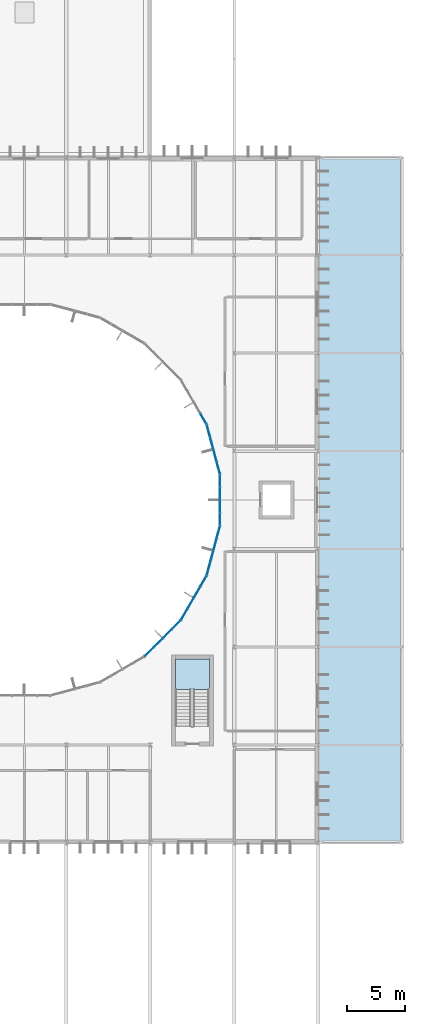
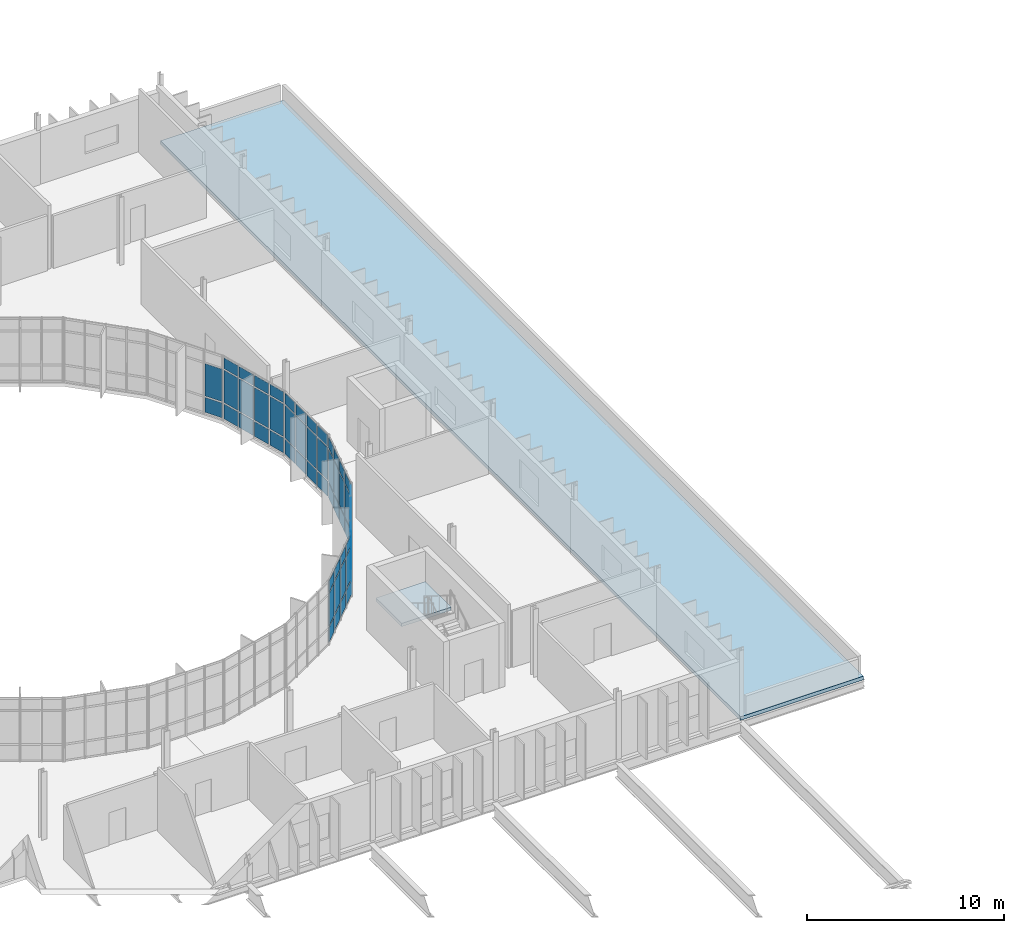
# One storey, part 67 of 99: 62 plates, 2 slabs, 7 elements without a shape of their own.
"""IFC4 building model written with IfcOpenShell, lengths in metres."""

from ifc_helpers import new_model, si_unit, direction, frame, origin, origin_2d, place, context, subcontext, project, spatial, polyline, rectangle, outline, extrude, material, layer, layer_set, type_object, element, aggregate, save


model = new_model("IFC4")

# Units and contexts
model_context = context("Model", 3, precision=1e-05, world=origin(), true_north=direction((0.0, 1.0)))
body_context = subcontext(model_context, "Body", "Model", "MODEL_VIEW")
ifc_project = project(units=[si_unit("LENGTHUNIT", "METRE"), si_unit("AREAUNIT", "SQUARE_METRE"), si_unit("VOLUMEUNIT", "CUBIC_METRE"), si_unit("PLANEANGLEUNIT", "RADIAN"), si_unit("MASSUNIT", "GRAM", prefix="KILO")], contexts=[model_context])

# Site, building, storey
site_placement = place(None, origin())
site = spatial("IfcSite", under=ifc_project, at=site_placement, CompositionType="ELEMENT")
building_placement = place(site_placement, origin())
building = spatial("IfcBuilding", under=site, at=building_placement, Name="Qelthora Terrace Specialist Clinic", CompositionType="ELEMENT")
storey_placement = place(building_placement, frame((0.0, 0.0, 9.0)))
storey = spatial("IfcBuildingStorey", under=building, at=storey_placement, Name="L02", CompositionType="ELEMENT", Elevation=9.0)

# Curtain wall, plates
ifc_material_1 = material(Name="Aluminium anodized bronze", Category="aluminium")
curtain_wall_type = type_object("IfcCurtainWallType", Name="CW-CRTE-UPP", PredefinedType="NOTDEFINED", material=ifc_material_1)
curtain_wall_1_placement = place(storey_placement, origin())
curtain_wall_1 = element("IfcCurtainWall", 1, at=curtain_wall_1_placement, inside=storey, type_object=curtain_wall_type, Name="Curtain wall CW-CE-L02-01", PredefinedType="NOTDEFINED")
ifc_material_2 = material(Name="Low-E triple-silver insulating glass", Category="glass")
ifc_layer_1 = layer(ifc_material_2, 0.035888671875)
ifc_layer_set_1 = layer_set([ifc_layer_1], Name="Low-E triple-silver insulating glass")
plate_type = type_object("IfcPlateType", Name="CWP-IGU-36", PredefinedType="CURTAIN_PANEL", material=ifc_layer_set_1)
plate_1_placement = place(storey_placement, frame((142.63037109375, 65.75341796875, 0.0849609375), z_axis=(0.0, 0.0, 1.0), x_axis=(-0.258819045103, 0.965925826289, 0.0)))
plate_1 = element("IfcPlate", 2, at=plate_1_placement, type_object=plate_type, Name="CW-CE-L02-01 glazed panel 1", PredefinedType="CURTAIN_PANEL", context=body_context, shape_type="SweptSolid", body=[
    extrude(rectangle(XDim=0.996337890625, YDim=0.035888671875, at=origin_2d()), origin(), (0.0, 0.0, 1.0), 0.919921875),
])
plate_2_placement = place(storey_placement, frame((142.63037109375, 65.75341796875, 1.094970703125), z_axis=(0.0, 0.0, 1.0), x_axis=(-0.258819045103, 0.965925826289, 0.0)))
plate_2 = element("IfcPlate", 3, at=plate_2_placement, type_object=plate_type, Name="CW-CE-L02-01 glazed panel 2", PredefinedType="CURTAIN_PANEL", context=body_context, shape_type="SweptSolid", body=[
    extrude(rectangle(XDim=0.996337890625, YDim=0.035888671875, at=origin_2d()), origin(), (0.0, 0.0, 1.0), 2.0048828125),
])
plate_3_placement = place(storey_placement, frame((142.63037109375, 65.75341796875, 3.18994140625), z_axis=(0.0, 0.0, 1.0), x_axis=(-0.258819045103, 0.965925826289, 0.0)))
plate_3 = element("IfcPlate", 4, at=plate_3_placement, type_object=plate_type, Name="CW-CE-L02-01 glazed panel 3", PredefinedType="CURTAIN_PANEL", context=body_context, shape_type="SweptSolid", body=[
    extrude(rectangle(XDim=0.996337890625, YDim=0.035888671875, at=origin_2d()), origin(), (0.0, 0.0, 1.0), 0.669921875),
])
plate_4_placement = place(storey_placement, frame((142.346435546875, 66.8125, 0.0849609375), z_axis=(0.0, 0.0, 1.0), x_axis=(-0.258819045103, 0.965925826289, 0.0)))
plate_4 = element("IfcPlate", 5, at=plate_4_placement, type_object=plate_type, Name="CW-CE-L02-01 glazed panel 4", PredefinedType="CURTAIN_PANEL", context=body_context, shape_type="SweptSolid", body=[
    extrude(rectangle(XDim=0.996337890625, YDim=0.035888671875, at=origin_2d()), origin(), (0.0, 0.0, 1.0), 0.919921875),
])
plate_5_placement = place(storey_placement, frame((142.346435546875, 66.8125, 1.094970703125), z_axis=(0.0, 0.0, 1.0), x_axis=(-0.258819045103, 0.965925826289, 0.0)))
plate_5 = element("IfcPlate", 6, at=plate_5_placement, type_object=plate_type, Name="CW-CE-L02-01 glazed panel 5", PredefinedType="CURTAIN_PANEL", context=body_context, shape_type="SweptSolid", body=[
    extrude(rectangle(XDim=0.996337890625, YDim=0.035888671875, at=origin_2d()), origin(), (0.0, 0.0, 1.0), 2.0048828125),
])
plate_6_placement = place(storey_placement, frame((142.346435546875, 66.8125, 3.18994140625), z_axis=(0.0, 0.0, 1.0), x_axis=(-0.258819045103, 0.965925826289, 0.0)))
plate_6 = element("IfcPlate", 7, at=plate_6_placement, type_object=plate_type, Name="CW-CE-L02-01 glazed panel 6", PredefinedType="CURTAIN_PANEL", context=body_context, shape_type="SweptSolid", body=[
    extrude(rectangle(XDim=0.996337890625, YDim=0.035888671875, at=origin_2d()), origin(), (0.0, 0.0, 1.0), 0.669921875),
])
plate_7_placement = place(storey_placement, frame((142.062744140625, 67.87158203125, 0.0849609375), z_axis=(0.0, 0.0, 1.0), x_axis=(-0.258819045103, 0.965925826289, 0.0)))
plate_7 = element("IfcPlate", 8, at=plate_7_placement, type_object=plate_type, Name="CW-CE-L02-01 glazed panel 7", PredefinedType="CURTAIN_PANEL", context=body_context, shape_type="SweptSolid", body=[
    extrude(rectangle(XDim=0.996337890625, YDim=0.035888671875, at=origin_2d()), origin(), (0.0, 0.0, 1.0), 0.919921875),
])
plate_8_placement = place(storey_placement, frame((142.062744140625, 67.87158203125, 1.094970703125), z_axis=(0.0, 0.0, 1.0), x_axis=(-0.258819045103, 0.965925826289, 0.0)))
plate_8 = element("IfcPlate", 9, at=plate_8_placement, type_object=plate_type, Name="CW-CE-L02-01 glazed panel 8", PredefinedType="CURTAIN_PANEL", context=body_context, shape_type="SweptSolid", body=[
    extrude(rectangle(XDim=0.996337890625, YDim=0.035888671875, at=origin_2d()), origin(), (0.0, 0.0, 1.0), 2.0048828125),
])
plate_9_placement = place(storey_placement, frame((142.062744140625, 67.87158203125, 3.18994140625), z_axis=(0.0, 0.0, 1.0), x_axis=(-0.258819045103, 0.965925826289, 0.0)))
plate_9 = element("IfcPlate", 10, at=plate_9_placement, type_object=plate_type, Name="CW-CE-L02-01 glazed panel 9", PredefinedType="CURTAIN_PANEL", context=body_context, shape_type="SweptSolid", body=[
    extrude(rectangle(XDim=0.996337890625, YDim=0.035888671875, at=origin_2d()), origin(), (0.0, 0.0, 1.0), 0.669921875),
])
plate_10_placement = place(storey_placement, frame((141.779052734375, 68.9306640625, 0.0849609375), z_axis=(0.0, 0.0, 1.0), x_axis=(-0.258819045103, 0.965925826289, 0.0)))
plate_10 = element("IfcPlate", 11, at=plate_10_placement, type_object=plate_type, Name="CW-CE-L02-01 glazed panel 10", PredefinedType="CURTAIN_PANEL", context=body_context, shape_type="SweptSolid", body=[
    extrude(rectangle(XDim=0.996337890625, YDim=0.035888671875, at=origin_2d()), origin(), (0.0, 0.0, 1.0), 0.919921875),
])
plate_11_placement = place(storey_placement, frame((141.779052734375, 68.9306640625, 1.094970703125), z_axis=(0.0, 0.0, 1.0), x_axis=(-0.258819045103, 0.965925826289, 0.0)))
plate_11 = element("IfcPlate", 12, at=plate_11_placement, type_object=plate_type, Name="CW-CE-L02-01 glazed panel 11", PredefinedType="CURTAIN_PANEL", context=body_context, shape_type="SweptSolid", body=[
    extrude(rectangle(XDim=0.996337890625, YDim=0.035888671875, at=origin_2d()), origin(), (0.0, 0.0, 1.0), 2.0048828125),
])
plate_12_placement = place(storey_placement, frame((141.779052734375, 68.9306640625, 3.18994140625), z_axis=(0.0, 0.0, 1.0), x_axis=(-0.258819045103, 0.965925826289, 0.0)))
plate_12 = element("IfcPlate", 13, at=plate_12_placement, type_object=plate_type, Name="CW-CE-L02-01 glazed panel 12", PredefinedType="CURTAIN_PANEL", context=body_context, shape_type="SweptSolid", body=[
    extrude(rectangle(XDim=0.996337890625, YDim=0.035888671875, at=origin_2d()), origin(), (0.0, 0.0, 1.0), 0.669921875),
])
aggregate(curtain_wall_1, [plate_1, plate_2, plate_3, plate_4, plate_5, plate_6, plate_7, plate_8, plate_9, plate_10, plate_11, plate_12])

curtain_wall_2_placement = place(storey_placement, origin())
curtain_wall_2 = element("IfcCurtainWall", 14, at=curtain_wall_2_placement, inside=storey, type_object=curtain_wall_type, Name="Curtain wall CW-CE-L02-02", PredefinedType="NOTDEFINED")
plate_13_placement = place(storey_placement, frame((141.35107421875, 69.9638671875, 0.0849609375), z_axis=(0.0, 0.0, 1.0), x_axis=(-0.5, 0.866025403784, 0.0)))
plate_13 = element("IfcPlate", 15, at=plate_13_placement, type_object=plate_type, Name="CW-CE-L02-02 glazed panel 1", PredefinedType="CURTAIN_PANEL", context=body_context, shape_type="SweptSolid", body=[
    extrude(rectangle(XDim=0.996337890625, YDim=0.035888671875, at=origin_2d()), origin(), (0.0, 0.0, 1.0), 0.919921875),
])
plate_14_placement = place(storey_placement, frame((141.35107421875, 69.9638671875, 1.094970703125), z_axis=(0.0, 0.0, 1.0), x_axis=(-0.5, 0.866025403784, 0.0)))
plate_14 = element("IfcPlate", 16, at=plate_14_placement, type_object=plate_type, Name="CW-CE-L02-02 glazed panel 2", PredefinedType="CURTAIN_PANEL", context=body_context, shape_type="SweptSolid", body=[
    extrude(rectangle(XDim=0.996337890625, YDim=0.035888671875, at=origin_2d()), origin(), (0.0, 0.0, 1.0), 2.0048828125),
])
aggregate(curtain_wall_2, [plate_13, plate_14])

curtain_wall_3_placement = place(storey_placement, origin())
curtain_wall_3 = element("IfcCurtainWall", 17, at=curtain_wall_3_placement, inside=storey, type_object=curtain_wall_type, Name="Curtain wall CW-CE-L02-21", PredefinedType="NOTDEFINED")
plate_15_placement = place(storey_placement, frame((136.69970703125, 49.974365234375, 0.0849609375), z_axis=(0.0, 0.0, 1.0), x_axis=(0.707106781187, 0.707106781187, 0.0)))
plate_15 = element("IfcPlate", 18, at=plate_15_placement, type_object=plate_type, Name="CW-CE-L02-21 glazed panel 1", PredefinedType="CURTAIN_PANEL", context=body_context, shape_type="SweptSolid", body=[
    extrude(rectangle(XDim=0.996337890625, YDim=0.035888671875, at=origin_2d()), origin(), (0.0, 0.0, 1.0), 0.919921875),
])
plate_16_placement = place(storey_placement, frame((136.69970703125, 49.974365234375, 1.094970703125), z_axis=(0.0, 0.0, 1.0), x_axis=(0.707106781187, 0.707106781187, 0.0)))
plate_16 = element("IfcPlate", 19, at=plate_16_placement, type_object=plate_type, Name="CW-CE-L02-21 glazed panel 2", PredefinedType="CURTAIN_PANEL", context=body_context, shape_type="SweptSolid", body=[
    extrude(rectangle(XDim=0.996337890625, YDim=0.035888671875, at=origin_2d()), origin(), (0.0, 0.0, 1.0), 2.0048828125),
])
plate_17_placement = place(storey_placement, frame((136.69970703125, 49.974365234375, 3.18994140625), z_axis=(0.0, 0.0, 1.0), x_axis=(0.707106781187, 0.707106781187, 0.0)))
plate_17 = element("IfcPlate", 20, at=plate_17_placement, type_object=plate_type, Name="CW-CE-L02-21 glazed panel 3", PredefinedType="CURTAIN_PANEL", context=body_context, shape_type="SweptSolid", body=[
    extrude(rectangle(XDim=0.996337890625, YDim=0.035888671875, at=origin_2d()), origin(), (0.0, 0.0, 1.0), 0.669921875),
])
plate_18_placement = place(storey_placement, frame((137.474853515625, 50.749755859375, 0.0849609375), z_axis=(0.0, 0.0, 1.0), x_axis=(0.707106781187, 0.707106781187, 0.0)))
plate_18 = element("IfcPlate", 21, at=plate_18_placement, type_object=plate_type, Name="CW-CE-L02-21 glazed panel 4", PredefinedType="CURTAIN_PANEL", context=body_context, shape_type="SweptSolid", body=[
    extrude(rectangle(XDim=0.996337890625, YDim=0.035888671875, at=origin_2d()), origin(), (0.0, 0.0, 1.0), 0.919921875),
])
plate_19_placement = place(storey_placement, frame((137.474853515625, 50.749755859375, 1.094970703125), z_axis=(0.0, 0.0, 1.0), x_axis=(0.707106781187, 0.707106781187, 0.0)))
plate_19 = element("IfcPlate", 22, at=plate_19_placement, type_object=plate_type, Name="CW-CE-L02-21 glazed panel 5", PredefinedType="CURTAIN_PANEL", context=body_context, shape_type="SweptSolid", body=[
    extrude(rectangle(XDim=0.996337890625, YDim=0.035888671875, at=origin_2d()), origin(), (0.0, 0.0, 1.0), 2.0048828125),
])
plate_20_placement = place(storey_placement, frame((137.474853515625, 50.749755859375, 3.18994140625), z_axis=(0.0, 0.0, 1.0), x_axis=(0.707106781187, 0.707106781187, 0.0)))
plate_20 = element("IfcPlate", 23, at=plate_20_placement, type_object=plate_type, Name="CW-CE-L02-21 glazed panel 6", PredefinedType="CURTAIN_PANEL", context=body_context, shape_type="SweptSolid", body=[
    extrude(rectangle(XDim=0.996337890625, YDim=0.035888671875, at=origin_2d()), origin(), (0.0, 0.0, 1.0), 0.669921875),
])
plate_21_placement = place(storey_placement, frame((138.250244140625, 51.525146484375, 0.0849609375), z_axis=(0.0, 0.0, 1.0), x_axis=(0.707106781187, 0.707106781187, 0.0)))
plate_21 = element("IfcPlate", 24, at=plate_21_placement, type_object=plate_type, Name="CW-CE-L02-21 glazed panel 7", PredefinedType="CURTAIN_PANEL", context=body_context, shape_type="SweptSolid", body=[
    extrude(rectangle(XDim=0.996337890625, YDim=0.035888671875, at=origin_2d()), origin(), (0.0, 0.0, 1.0), 0.919921875),
])
plate_22_placement = place(storey_placement, frame((138.250244140625, 51.525146484375, 1.094970703125), z_axis=(0.0, 0.0, 1.0), x_axis=(0.707106781187, 0.707106781187, 0.0)))
plate_22 = element("IfcPlate", 25, at=plate_22_placement, type_object=plate_type, Name="CW-CE-L02-21 glazed panel 8", PredefinedType="CURTAIN_PANEL", context=body_context, shape_type="SweptSolid", body=[
    extrude(rectangle(XDim=0.996337890625, YDim=0.035888671875, at=origin_2d()), origin(), (0.0, 0.0, 1.0), 2.0048828125),
])
plate_23_placement = place(storey_placement, frame((138.250244140625, 51.525146484375, 3.18994140625), z_axis=(0.0, 0.0, 1.0), x_axis=(0.707106781187, 0.707106781187, 0.0)))
plate_23 = element("IfcPlate", 26, at=plate_23_placement, type_object=plate_type, Name="CW-CE-L02-21 glazed panel 9", PredefinedType="CURTAIN_PANEL", context=body_context, shape_type="SweptSolid", body=[
    extrude(rectangle(XDim=0.996337890625, YDim=0.035888671875, at=origin_2d()), origin(), (0.0, 0.0, 1.0), 0.669921875),
])
plate_24_placement = place(storey_placement, frame((139.025634765625, 52.30029296875, 0.0849609375), z_axis=(0.0, 0.0, 1.0), x_axis=(0.707106781187, 0.707106781187, 0.0)))
plate_24 = element("IfcPlate", 27, at=plate_24_placement, type_object=plate_type, Name="CW-CE-L02-21 glazed panel 10", PredefinedType="CURTAIN_PANEL", context=body_context, shape_type="SweptSolid", body=[
    extrude(rectangle(XDim=0.996337890625, YDim=0.035888671875, at=origin_2d()), origin(), (0.0, 0.0, 1.0), 0.919921875),
])
plate_25_placement = place(storey_placement, frame((139.025634765625, 52.30029296875, 1.094970703125), z_axis=(0.0, 0.0, 1.0), x_axis=(0.707106781187, 0.707106781187, 0.0)))
plate_25 = element("IfcPlate", 28, at=plate_25_placement, type_object=plate_type, Name="CW-CE-L02-21 glazed panel 11", PredefinedType="CURTAIN_PANEL", context=body_context, shape_type="SweptSolid", body=[
    extrude(rectangle(XDim=0.996337890625, YDim=0.035888671875, at=origin_2d()), origin(), (0.0, 0.0, 1.0), 2.0048828125),
])
plate_26_placement = place(storey_placement, frame((139.025634765625, 52.30029296875, 3.18994140625), z_axis=(0.0, 0.0, 1.0), x_axis=(0.707106781187, 0.707106781187, 0.0)))
plate_26 = element("IfcPlate", 29, at=plate_26_placement, type_object=plate_type, Name="CW-CE-L02-21 glazed panel 12", PredefinedType="CURTAIN_PANEL", context=body_context, shape_type="SweptSolid", body=[
    extrude(rectangle(XDim=0.996337890625, YDim=0.035888671875, at=origin_2d()), origin(), (0.0, 0.0, 1.0), 0.669921875),
])
aggregate(curtain_wall_3, [plate_15, plate_16, plate_17, plate_18, plate_19, plate_20, plate_21, plate_22, plate_23, plate_24, plate_25, plate_26])

curtain_wall_4_placement = place(storey_placement, origin())
curtain_wall_4 = element("IfcCurtainWall", 30, at=curtain_wall_4_placement, inside=storey, type_object=curtain_wall_type, Name="Curtain wall CW-CE-L02-22", PredefinedType="NOTDEFINED")
plate_27_placement = place(storey_placement, frame((139.706298828125, 53.1875, 0.0849609375), z_axis=(0.0, 0.0, 1.0), x_axis=(0.5, 0.866025403784, 0.0)))
plate_27 = element("IfcPlate", 31, at=plate_27_placement, type_object=plate_type, Name="CW-CE-L02-22 glazed panel 1", PredefinedType="CURTAIN_PANEL", context=body_context, shape_type="SweptSolid", body=[
    extrude(rectangle(XDim=0.996337890625, YDim=0.035888671875, at=origin_2d()), origin(), (0.0, 0.0, 1.0), 0.919921875),
])
plate_28_placement = place(storey_placement, frame((139.706298828125, 53.1875, 1.094970703125), z_axis=(0.0, 0.0, 1.0), x_axis=(0.5, 0.866025403784, 0.0)))
plate_28 = element("IfcPlate", 32, at=plate_28_placement, type_object=plate_type, Name="CW-CE-L02-22 glazed panel 2", PredefinedType="CURTAIN_PANEL", context=body_context, shape_type="SweptSolid", body=[
    extrude(rectangle(XDim=0.996337890625, YDim=0.035888671875, at=origin_2d()), origin(), (0.0, 0.0, 1.0), 2.0048828125),
])
plate_29_placement = place(storey_placement, frame((139.706298828125, 53.1875, 3.18994140625), z_axis=(0.0, 0.0, 1.0), x_axis=(0.5, 0.866025403784, 0.0)))
plate_29 = element("IfcPlate", 33, at=plate_29_placement, type_object=plate_type, Name="CW-CE-L02-22 glazed panel 3", PredefinedType="CURTAIN_PANEL", context=body_context, shape_type="SweptSolid", body=[
    extrude(rectangle(XDim=0.996337890625, YDim=0.035888671875, at=origin_2d()), origin(), (0.0, 0.0, 1.0), 0.669921875),
])
plate_30_placement = place(storey_placement, frame((140.254638671875, 54.13720703125, 0.0849609375), z_axis=(0.0, 0.0, 1.0), x_axis=(0.5, 0.866025403784, 0.0)))
plate_30 = element("IfcPlate", 34, at=plate_30_placement, type_object=plate_type, Name="CW-CE-L02-22 glazed panel 4", PredefinedType="CURTAIN_PANEL", context=body_context, shape_type="SweptSolid", body=[
    extrude(rectangle(XDim=0.996337890625, YDim=0.035888671875, at=origin_2d()), origin(), (0.0, 0.0, 1.0), 0.919921875),
])
plate_31_placement = place(storey_placement, frame((140.254638671875, 54.13720703125, 1.094970703125), z_axis=(0.0, 0.0, 1.0), x_axis=(0.5, 0.866025403784, 0.0)))
plate_31 = element("IfcPlate", 35, at=plate_31_placement, type_object=plate_type, Name="CW-CE-L02-22 glazed panel 5", PredefinedType="CURTAIN_PANEL", context=body_context, shape_type="SweptSolid", body=[
    extrude(rectangle(XDim=0.996337890625, YDim=0.035888671875, at=origin_2d()), origin(), (0.0, 0.0, 1.0), 2.0048828125),
])
plate_32_placement = place(storey_placement, frame((140.254638671875, 54.13720703125, 3.18994140625), z_axis=(0.0, 0.0, 1.0), x_axis=(0.5, 0.866025403784, 0.0)))
plate_32 = element("IfcPlate", 36, at=plate_32_placement, type_object=plate_type, Name="CW-CE-L02-22 glazed panel 6", PredefinedType="CURTAIN_PANEL", context=body_context, shape_type="SweptSolid", body=[
    extrude(rectangle(XDim=0.996337890625, YDim=0.035888671875, at=origin_2d()), origin(), (0.0, 0.0, 1.0), 0.669921875),
])
plate_33_placement = place(storey_placement, frame((140.802734375, 55.086669921875, 0.0849609375), z_axis=(0.0, 0.0, 1.0), x_axis=(0.5, 0.866025403784, 0.0)))
plate_33 = element("IfcPlate", 37, at=plate_33_placement, type_object=plate_type, Name="CW-CE-L02-22 glazed panel 7", PredefinedType="CURTAIN_PANEL", context=body_context, shape_type="SweptSolid", body=[
    extrude(rectangle(XDim=0.996337890625, YDim=0.035888671875, at=origin_2d()), origin(), (0.0, 0.0, 1.0), 0.919921875),
])
plate_34_placement = place(storey_placement, frame((140.802734375, 55.086669921875, 1.094970703125), z_axis=(0.0, 0.0, 1.0), x_axis=(0.5, 0.866025403784, 0.0)))
plate_34 = element("IfcPlate", 38, at=plate_34_placement, type_object=plate_type, Name="CW-CE-L02-22 glazed panel 8", PredefinedType="CURTAIN_PANEL", context=body_context, shape_type="SweptSolid", body=[
    extrude(rectangle(XDim=0.996337890625, YDim=0.035888671875, at=origin_2d()), origin(), (0.0, 0.0, 1.0), 2.0048828125),
])
plate_35_placement = place(storey_placement, frame((140.802734375, 55.086669921875, 3.18994140625), z_axis=(0.0, 0.0, 1.0), x_axis=(0.5, 0.866025403784, 0.0)))
plate_35 = element("IfcPlate", 39, at=plate_35_placement, type_object=plate_type, Name="CW-CE-L02-22 glazed panel 9", PredefinedType="CURTAIN_PANEL", context=body_context, shape_type="SweptSolid", body=[
    extrude(rectangle(XDim=0.996337890625, YDim=0.035888671875, at=origin_2d()), origin(), (0.0, 0.0, 1.0), 0.669921875),
])
plate_36_placement = place(storey_placement, frame((141.35107421875, 56.0361328125, 0.0849609375), z_axis=(0.0, 0.0, 1.0), x_axis=(0.5, 0.866025403784, 0.0)))
plate_36 = element("IfcPlate", 40, at=plate_36_placement, type_object=plate_type, Name="CW-CE-L02-22 glazed panel 10", PredefinedType="CURTAIN_PANEL", context=body_context, shape_type="SweptSolid", body=[
    extrude(rectangle(XDim=0.996337890625, YDim=0.035888671875, at=origin_2d()), origin(), (0.0, 0.0, 1.0), 0.919921875),
])
plate_37_placement = place(storey_placement, frame((141.35107421875, 56.0361328125, 1.094970703125), z_axis=(0.0, 0.0, 1.0), x_axis=(0.5, 0.866025403784, 0.0)))
plate_37 = element("IfcPlate", 41, at=plate_37_placement, type_object=plate_type, Name="CW-CE-L02-22 glazed panel 11", PredefinedType="CURTAIN_PANEL", context=body_context, shape_type="SweptSolid", body=[
    extrude(rectangle(XDim=0.996337890625, YDim=0.035888671875, at=origin_2d()), origin(), (0.0, 0.0, 1.0), 2.0048828125),
])
plate_38_placement = place(storey_placement, frame((141.35107421875, 56.0361328125, 3.18994140625), z_axis=(0.0, 0.0, 1.0), x_axis=(0.5, 0.866025403784, 0.0)))
plate_38 = element("IfcPlate", 42, at=plate_38_placement, type_object=plate_type, Name="CW-CE-L02-22 glazed panel 12", PredefinedType="CURTAIN_PANEL", context=body_context, shape_type="SweptSolid", body=[
    extrude(rectangle(XDim=0.996337890625, YDim=0.035888671875, at=origin_2d()), origin(), (0.0, 0.0, 1.0), 0.669921875),
])
aggregate(curtain_wall_4, [plate_27, plate_28, plate_29, plate_30, plate_31, plate_32, plate_33, plate_34, plate_35, plate_36, plate_37, plate_38])

curtain_wall_5_placement = place(storey_placement, origin())
curtain_wall_5 = element("IfcCurtainWall", 43, at=curtain_wall_5_placement, inside=storey, type_object=curtain_wall_type, Name="Curtain wall CW-CE-L02-23", PredefinedType="NOTDEFINED")
plate_39_placement = place(storey_placement, frame((141.779052734375, 57.0693359375, 0.0849609375), z_axis=(0.0, 0.0, 1.0), x_axis=(0.258819045103, 0.965925826289, 0.0)))
plate_39 = element("IfcPlate", 44, at=plate_39_placement, type_object=plate_type, Name="CW-CE-L02-23 glazed panel 1", PredefinedType="CURTAIN_PANEL", context=body_context, shape_type="SweptSolid", body=[
    extrude(rectangle(XDim=0.996337890625, YDim=0.035888671875, at=origin_2d()), origin(), (0.0, 0.0, 1.0), 0.919921875),
])
plate_40_placement = place(storey_placement, frame((141.779052734375, 57.0693359375, 1.094970703125), z_axis=(0.0, 0.0, 1.0), x_axis=(0.258819045103, 0.965925826289, 0.0)))
plate_40 = element("IfcPlate", 45, at=plate_40_placement, type_object=plate_type, Name="CW-CE-L02-23 glazed panel 2", PredefinedType="CURTAIN_PANEL", context=body_context, shape_type="SweptSolid", body=[
    extrude(rectangle(XDim=0.996337890625, YDim=0.035888671875, at=origin_2d()), origin(), (0.0, 0.0, 1.0), 2.0048828125),
])
plate_41_placement = place(storey_placement, frame((141.779052734375, 57.0693359375, 3.18994140625), z_axis=(0.0, 0.0, 1.0), x_axis=(0.258819045103, 0.965925826289, 0.0)))
plate_41 = element("IfcPlate", 46, at=plate_41_placement, type_object=plate_type, Name="CW-CE-L02-23 glazed panel 3", PredefinedType="CURTAIN_PANEL", context=body_context, shape_type="SweptSolid", body=[
    extrude(rectangle(XDim=0.996337890625, YDim=0.035888671875, at=origin_2d()), origin(), (0.0, 0.0, 1.0), 0.669921875),
])
plate_42_placement = place(storey_placement, frame((142.062744140625, 58.12841796875, 0.0849609375), z_axis=(0.0, 0.0, 1.0), x_axis=(0.258819045103, 0.965925826289, 0.0)))
plate_42 = element("IfcPlate", 47, at=plate_42_placement, type_object=plate_type, Name="CW-CE-L02-23 glazed panel 4", PredefinedType="CURTAIN_PANEL", context=body_context, shape_type="SweptSolid", body=[
    extrude(rectangle(XDim=0.996337890625, YDim=0.035888671875, at=origin_2d()), origin(), (0.0, 0.0, 1.0), 0.919921875),
])
plate_43_placement = place(storey_placement, frame((142.062744140625, 58.12841796875, 1.094970703125), z_axis=(0.0, 0.0, 1.0), x_axis=(0.258819045103, 0.965925826289, 0.0)))
plate_43 = element("IfcPlate", 48, at=plate_43_placement, type_object=plate_type, Name="CW-CE-L02-23 glazed panel 5", PredefinedType="CURTAIN_PANEL", context=body_context, shape_type="SweptSolid", body=[
    extrude(rectangle(XDim=0.996337890625, YDim=0.035888671875, at=origin_2d()), origin(), (0.0, 0.0, 1.0), 2.0048828125),
])
plate_44_placement = place(storey_placement, frame((142.062744140625, 58.12841796875, 3.18994140625), z_axis=(0.0, 0.0, 1.0), x_axis=(0.258819045103, 0.965925826289, 0.0)))
plate_44 = element("IfcPlate", 49, at=plate_44_placement, type_object=plate_type, Name="CW-CE-L02-23 glazed panel 6", PredefinedType="CURTAIN_PANEL", context=body_context, shape_type="SweptSolid", body=[
    extrude(rectangle(XDim=0.996337890625, YDim=0.035888671875, at=origin_2d()), origin(), (0.0, 0.0, 1.0), 0.669921875),
])
plate_45_placement = place(storey_placement, frame((142.346435546875, 59.1875, 0.0849609375), z_axis=(0.0, 0.0, 1.0), x_axis=(0.258819045103, 0.965925826289, 0.0)))
plate_45 = element("IfcPlate", 50, at=plate_45_placement, type_object=plate_type, Name="CW-CE-L02-23 glazed panel 7", PredefinedType="CURTAIN_PANEL", context=body_context, shape_type="SweptSolid", body=[
    extrude(rectangle(XDim=0.996337890625, YDim=0.035888671875, at=origin_2d()), origin(), (0.0, 0.0, 1.0), 0.919921875),
])
plate_46_placement = place(storey_placement, frame((142.346435546875, 59.1875, 1.094970703125), z_axis=(0.0, 0.0, 1.0), x_axis=(0.258819045103, 0.965925826289, 0.0)))
plate_46 = element("IfcPlate", 51, at=plate_46_placement, type_object=plate_type, Name="CW-CE-L02-23 glazed panel 8", PredefinedType="CURTAIN_PANEL", context=body_context, shape_type="SweptSolid", body=[
    extrude(rectangle(XDim=0.996337890625, YDim=0.035888671875, at=origin_2d()), origin(), (0.0, 0.0, 1.0), 2.0048828125),
])
plate_47_placement = place(storey_placement, frame((142.346435546875, 59.1875, 3.18994140625), z_axis=(0.0, 0.0, 1.0), x_axis=(0.258819045103, 0.965925826289, 0.0)))
plate_47 = element("IfcPlate", 52, at=plate_47_placement, type_object=plate_type, Name="CW-CE-L02-23 glazed panel 9", PredefinedType="CURTAIN_PANEL", context=body_context, shape_type="SweptSolid", body=[
    extrude(rectangle(XDim=0.996337890625, YDim=0.035888671875, at=origin_2d()), origin(), (0.0, 0.0, 1.0), 0.669921875),
])
plate_48_placement = place(storey_placement, frame((142.63037109375, 60.24658203125, 0.0849609375), z_axis=(0.0, 0.0, 1.0), x_axis=(0.258819045103, 0.965925826289, 0.0)))
plate_48 = element("IfcPlate", 53, at=plate_48_placement, type_object=plate_type, Name="CW-CE-L02-23 glazed panel 10", PredefinedType="CURTAIN_PANEL", context=body_context, shape_type="SweptSolid", body=[
    extrude(rectangle(XDim=0.996337890625, YDim=0.035888671875, at=origin_2d()), origin(), (0.0, 0.0, 1.0), 0.919921875),
])
plate_49_placement = place(storey_placement, frame((142.63037109375, 60.24658203125, 1.094970703125), z_axis=(0.0, 0.0, 1.0), x_axis=(0.258819045103, 0.965925826289, 0.0)))
plate_49 = element("IfcPlate", 54, at=plate_49_placement, type_object=plate_type, Name="CW-CE-L02-23 glazed panel 11", PredefinedType="CURTAIN_PANEL", context=body_context, shape_type="SweptSolid", body=[
    extrude(rectangle(XDim=0.996337890625, YDim=0.035888671875, at=origin_2d()), origin(), (0.0, 0.0, 1.0), 2.0048828125),
])
plate_50_placement = place(storey_placement, frame((142.63037109375, 60.24658203125, 3.18994140625), z_axis=(0.0, 0.0, 1.0), x_axis=(0.258819045103, 0.965925826289, 0.0)))
plate_50 = element("IfcPlate", 55, at=plate_50_placement, type_object=plate_type, Name="CW-CE-L02-23 glazed panel 12", PredefinedType="CURTAIN_PANEL", context=body_context, shape_type="SweptSolid", body=[
    extrude(rectangle(XDim=0.996337890625, YDim=0.035888671875, at=origin_2d()), origin(), (0.0, 0.0, 1.0), 0.669921875),
])
aggregate(curtain_wall_5, [plate_39, plate_40, plate_41, plate_42, plate_43, plate_44, plate_45, plate_46, plate_47, plate_48, plate_49, plate_50])

curtain_wall_6_placement = place(storey_placement, origin())
curtain_wall_6 = element("IfcCurtainWall", 56, at=curtain_wall_6_placement, inside=storey, type_object=curtain_wall_type, Name="Curtain wall CW-CE-L02-24", PredefinedType="NOTDEFINED")
plate_51_placement = place(storey_placement, frame((142.7763671875, 61.35546875, 0.0849609375), z_axis=(0.0, 0.0, 1.0), x_axis=(0.0, 1.0, 0.0)))
plate_51 = element("IfcPlate", 57, at=plate_51_placement, type_object=plate_type, Name="CW-CE-L02-24 glazed panel 1", PredefinedType="CURTAIN_PANEL", context=body_context, shape_type="SweptSolid", body=[
    extrude(rectangle(XDim=0.996337890625, YDim=0.035888671875, at=origin_2d()), origin(), (0.0, 0.0, 1.0), 0.919921875),
])
plate_52_placement = place(storey_placement, frame((142.7763671875, 61.35546875, 1.094970703125), z_axis=(0.0, 0.0, 1.0), x_axis=(0.0, 1.0, 0.0)))
plate_52 = element("IfcPlate", 58, at=plate_52_placement, type_object=plate_type, Name="CW-CE-L02-24 glazed panel 2", PredefinedType="CURTAIN_PANEL", context=body_context, shape_type="SweptSolid", body=[
    extrude(rectangle(XDim=0.996337890625, YDim=0.035888671875, at=origin_2d()), origin(), (0.0, 0.0, 1.0), 2.0048828125),
])
plate_53_placement = place(storey_placement, frame((142.7763671875, 61.35546875, 3.18994140625), z_axis=(0.0, 0.0, 1.0), x_axis=(0.0, 1.0, 0.0)))
plate_53 = element("IfcPlate", 59, at=plate_53_placement, type_object=plate_type, Name="CW-CE-L02-24 glazed panel 3", PredefinedType="CURTAIN_PANEL", context=body_context, shape_type="SweptSolid", body=[
    extrude(rectangle(XDim=0.996337890625, YDim=0.035888671875, at=origin_2d()), origin(), (0.0, 0.0, 1.0), 0.669921875),
])
plate_54_placement = place(storey_placement, frame((142.7763671875, 62.451904296875, 0.0849609375), z_axis=(0.0, 0.0, 1.0), x_axis=(0.0, 1.0, 0.0)))
plate_54 = element("IfcPlate", 60, at=plate_54_placement, type_object=plate_type, Name="CW-CE-L02-24 glazed panel 4", PredefinedType="CURTAIN_PANEL", context=body_context, shape_type="SweptSolid", body=[
    extrude(rectangle(XDim=0.996337890625, YDim=0.035888671875, at=origin_2d()), origin(), (0.0, 0.0, 1.0), 0.919921875),
])
plate_55_placement = place(storey_placement, frame((142.7763671875, 62.451904296875, 1.094970703125), z_axis=(0.0, 0.0, 1.0), x_axis=(0.0, 1.0, 0.0)))
plate_55 = element("IfcPlate", 61, at=plate_55_placement, type_object=plate_type, Name="CW-CE-L02-24 glazed panel 5", PredefinedType="CURTAIN_PANEL", context=body_context, shape_type="SweptSolid", body=[
    extrude(rectangle(XDim=0.996337890625, YDim=0.035888671875, at=origin_2d()), origin(), (0.0, 0.0, 1.0), 2.0048828125),
])
plate_56_placement = place(storey_placement, frame((142.7763671875, 62.451904296875, 3.18994140625), z_axis=(0.0, 0.0, 1.0), x_axis=(0.0, 1.0, 0.0)))
plate_56 = element("IfcPlate", 62, at=plate_56_placement, type_object=plate_type, Name="CW-CE-L02-24 glazed panel 6", PredefinedType="CURTAIN_PANEL", context=body_context, shape_type="SweptSolid", body=[
    extrude(rectangle(XDim=0.996337890625, YDim=0.035888671875, at=origin_2d()), origin(), (0.0, 0.0, 1.0), 0.669921875),
])
plate_57_placement = place(storey_placement, frame((142.7763671875, 63.548095703125, 0.0849609375), z_axis=(0.0, 0.0, 1.0), x_axis=(0.0, 1.0, 0.0)))
plate_57 = element("IfcPlate", 63, at=plate_57_placement, type_object=plate_type, Name="CW-CE-L02-24 glazed panel 7", PredefinedType="CURTAIN_PANEL", context=body_context, shape_type="SweptSolid", body=[
    extrude(rectangle(XDim=0.996337890625, YDim=0.035888671875, at=origin_2d()), origin(), (0.0, 0.0, 1.0), 0.919921875),
])
plate_58_placement = place(storey_placement, frame((142.7763671875, 63.548095703125, 1.094970703125), z_axis=(0.0, 0.0, 1.0), x_axis=(0.0, 1.0, 0.0)))
plate_58 = element("IfcPlate", 64, at=plate_58_placement, type_object=plate_type, Name="CW-CE-L02-24 glazed panel 8", PredefinedType="CURTAIN_PANEL", context=body_context, shape_type="SweptSolid", body=[
    extrude(rectangle(XDim=0.996337890625, YDim=0.035888671875, at=origin_2d()), origin(), (0.0, 0.0, 1.0), 2.0048828125),
])
plate_59_placement = place(storey_placement, frame((142.7763671875, 63.548095703125, 3.18994140625), z_axis=(0.0, 0.0, 1.0), x_axis=(0.0, 1.0, 0.0)))
plate_59 = element("IfcPlate", 65, at=plate_59_placement, type_object=plate_type, Name="CW-CE-L02-24 glazed panel 9", PredefinedType="CURTAIN_PANEL", context=body_context, shape_type="SweptSolid", body=[
    extrude(rectangle(XDim=0.996337890625, YDim=0.035888671875, at=origin_2d()), origin(), (0.0, 0.0, 1.0), 0.669921875),
])
plate_60_placement = place(storey_placement, frame((142.7763671875, 64.64453125, 0.0849609375), z_axis=(0.0, 0.0, 1.0), x_axis=(0.0, 1.0, 0.0)))
plate_60 = element("IfcPlate", 66, at=plate_60_placement, type_object=plate_type, Name="CW-CE-L02-24 glazed panel 10", PredefinedType="CURTAIN_PANEL", context=body_context, shape_type="SweptSolid", body=[
    extrude(rectangle(XDim=0.996337890625, YDim=0.035888671875, at=origin_2d()), origin(), (0.0, 0.0, 1.0), 0.919921875),
])
plate_61_placement = place(storey_placement, frame((142.7763671875, 64.64453125, 1.094970703125), z_axis=(0.0, 0.0, 1.0), x_axis=(0.0, 1.0, 0.0)))
plate_61 = element("IfcPlate", 67, at=plate_61_placement, type_object=plate_type, Name="CW-CE-L02-24 glazed panel 11", PredefinedType="CURTAIN_PANEL", context=body_context, shape_type="SweptSolid", body=[
    extrude(rectangle(XDim=0.996337890625, YDim=0.035888671875, at=origin_2d()), origin(), (0.0, 0.0, 1.0), 2.0048828125),
])
plate_62_placement = place(storey_placement, frame((142.7763671875, 64.64453125, 3.18994140625), z_axis=(0.0, 0.0, 1.0), x_axis=(0.0, 1.0, 0.0)))
plate_62 = element("IfcPlate", 68, at=plate_62_placement, type_object=plate_type, Name="CW-CE-L02-24 glazed panel 12", PredefinedType="CURTAIN_PANEL", context=body_context, shape_type="SweptSolid", body=[
    extrude(rectangle(XDim=0.996337890625, YDim=0.035888671875, at=origin_2d()), origin(), (0.0, 0.0, 1.0), 0.669921875),
])
aggregate(curtain_wall_6, [plate_51, plate_52, plate_53, plate_54, plate_55, plate_56, plate_57, plate_58, plate_59, plate_60, plate_61, plate_62])

# Stair, slab
ifc_material_3 = material(Name="Concrete C30/37", Category="concrete")
stair_type = type_object("IfcStairType", Name="STR-175-285", PredefinedType="HALF_TURN_STAIR", material=ifc_material_3)
stair_placement = place(storey_placement, origin())
stair = element("IfcStair", 69, at=stair_placement, inside=storey, type_object=stair_type, Name="L02 Enclosed Exit Stair ST-06", PredefinedType="HALF_TURN_STAIR")
ifc_layer_2 = layer(ifc_material_3, 0.199951171875)
ifc_layer_set_2 = layer_set([ifc_layer_2], Name="Concrete C30/37")
slab_type_1 = type_object("IfcSlabType", Name="SLB-LAND-200-C30", PredefinedType="LANDING", material=ifc_layer_set_2)
slab_1_placement = place(storey_placement, frame((0.0, 0.0, 1.89990234375)))
slab_1 = element("IfcSlab", 70, at=slab_1_placement, type_object=slab_type_1, Name="ST-06 landing 1", PredefinedType="LANDING", context=body_context, shape_type="SweptSolid", body=[
    extrude(outline(polyline([(141.85009765625, 46.735107421875), (141.85009765625, 49.35009765625), (138.949951171875, 49.35009765625), (138.949951171875, 46.735107421875), (141.85009765625, 46.735107421875)])), origin(), (0.0, 0.0, 1.0), 0.2001953125),
])
aggregate(stair, [slab_1])

# Slab
ifc_layer_3 = layer(ifc_material_3, 0.22509765625)
ifc_layer_set_3 = layer_set([ifc_layer_3], Name="Concrete C30/37")
slab_type_2 = type_object("IfcSlabType", Name="SLB-ROOF-170-ZINC", PredefinedType="ROOF", material=ifc_layer_set_3)
slab_2_placement = place(storey_placement, frame((0.0, 0.0, -0.22509765625)))
element("IfcSlab", 71, at=slab_2_placement, inside=storey, type_object=slab_type_2, Name="Stepped wing roof slab ROOF-V4-STP2-1", PredefinedType="ROOF", context=body_context, shape_type="SweptSolid", body=[
    extrude(outline(polyline([(158.39990234375, 92.39990234375), (158.39990234375, 33.60009765625), (151.199951171875, 33.60009765625), (151.199951171875, 92.39990234375), (158.39990234375, 92.39990234375)])), origin(), (0.0, 0.0, 1.0), 0.22509765625),
])

save(model, "model.ifc")
